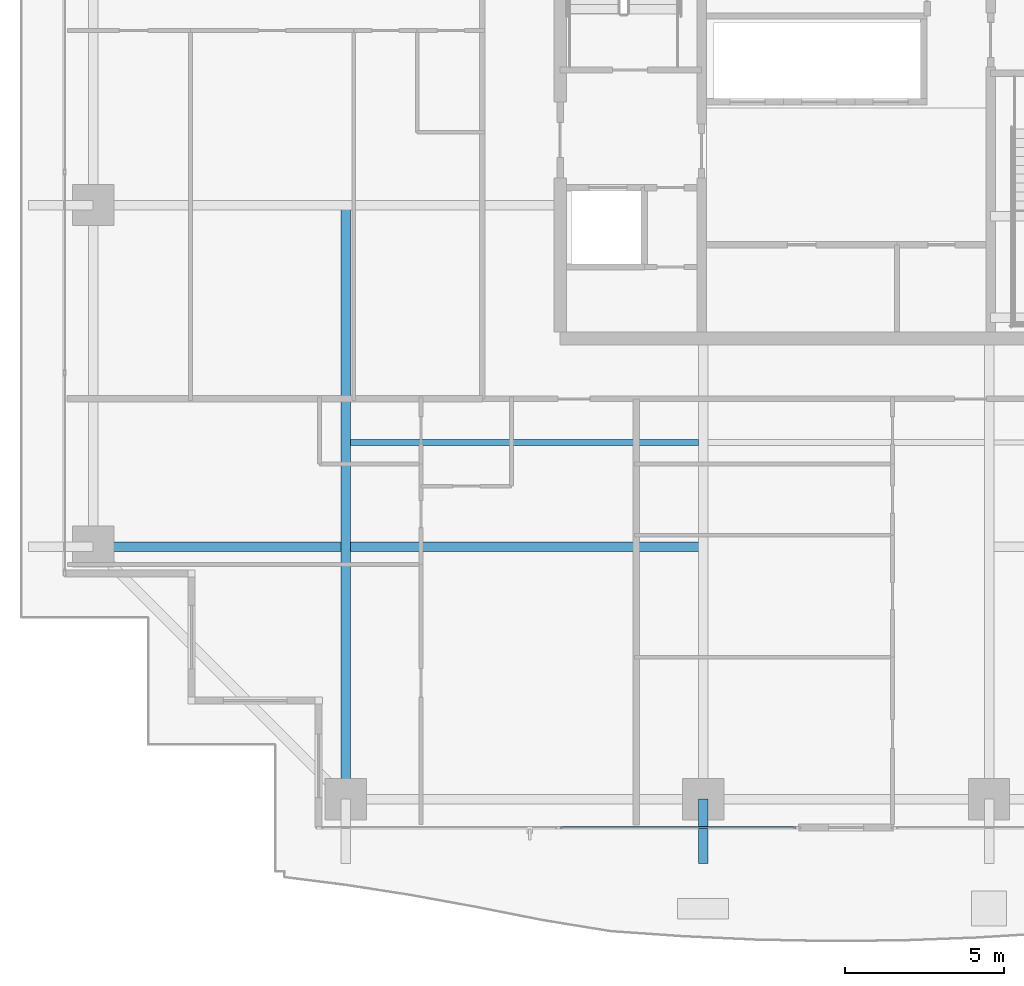
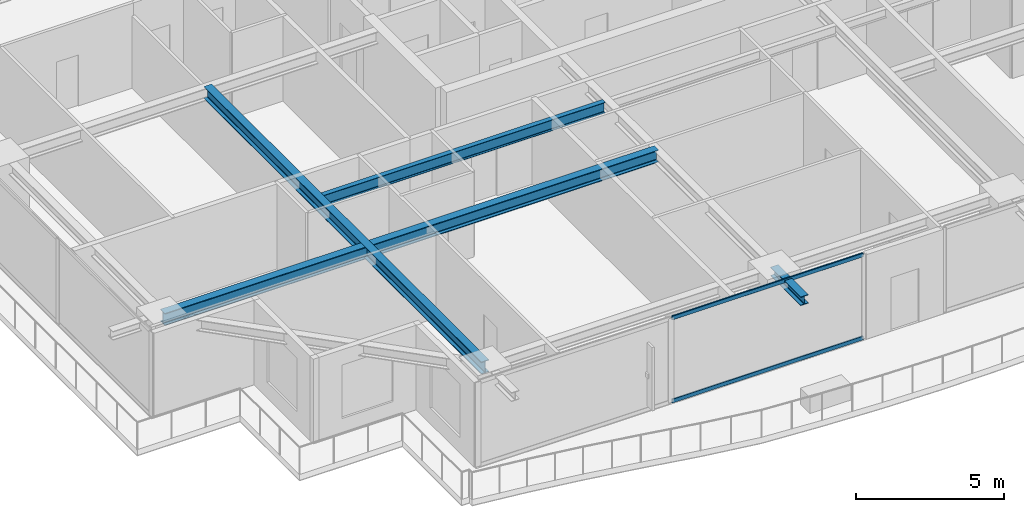
# One storey, part 4 of 35: 4 beams, 2 members, 1 element without a shape of its own.
"""IFC4 building model written with IfcOpenShell, lengths in metres."""

from ifc_helpers import new_model, si_unit, direction, frame, origin, origin_2d, place, context, subcontext, project, spatial, hollow_rectangle, i_section, extrude, source, transform, mapped, material, layer, layer_set, material_profile, profile_set, type_object, element, aggregate, save


model = new_model("IFC4")

# Units and contexts
model_context = context("Model", 3, precision=1e-05, world=origin(), true_north=direction((0.0, 1.0)))
body_context = subcontext(model_context, "Body", "Model", "MODEL_VIEW")
ifc_project = project(units=[si_unit("LENGTHUNIT", "METRE"), si_unit("AREAUNIT", "SQUARE_METRE"), si_unit("VOLUMEUNIT", "CUBIC_METRE"), si_unit("PLANEANGLEUNIT", "RADIAN"), si_unit("MASSUNIT", "GRAM", prefix="KILO")], contexts=[model_context])

# Site, building, storey
site_placement = place(None, origin())
site = spatial("IfcSite", under=ifc_project, at=site_placement, CompositionType="ELEMENT")
building_placement = place(site_placement, origin())
building = spatial("IfcBuilding", under=site, at=building_placement, Name="Serunith Strait Residences", CompositionType="ELEMENT")
storey_placement = place(building_placement, frame((0.0, 0.0, 191.39990234375)))
storey = spatial("IfcBuildingStorey", under=building, at=storey_placement, Name="L48", CompositionType="ELEMENT", Elevation=191.39990234375)

# Beams
ifc_material_1 = material(Name="Steel S355J2", Category="steel")
ifc_material_profile_1 = material_profile(ifc_material_1, i_section(OverallWidth=0.300048828125, OverallDepth=0.5, WebThickness=0.014404296875, FlangeThickness=0.028076171875, FilletRadius=0.027099609375, at=origin_2d()), Name="HEB 500")
ifc_profile_set_1 = profile_set([ifc_material_profile_1], Name="Steel S355J2")
beam_type_1 = type_object("IfcBeamType", Name="BM-HEB500", PredefinedType="BEAM", material=ifc_profile_set_1)
shared_shape_1 = source(origin(), body_context, "Body", "SweptSolid", [
    extrude(i_section(OverallWidth=0.300048828125, OverallDepth=0.5, WebThickness=0.014404296875, FlangeThickness=0.028076171875, FilletRadius=0.027099609375, at=origin_2d()), origin(), (0.0, 0.0, 1.0), 18.699951171875),
])
beam_1_placement = place(storey_placement, frame((16.64990234375, 21.0, 3.237060546875), z_axis=(0.0, -1.0, 0.0), x_axis=(1.0, 0.0, 0.0)))
element("IfcBeam", 1, at=beam_1_placement, inside=storey, type_object=beam_type_1, Name="L48 Orthogonal Corner Girder TC-S1", PredefinedType="BEAM", context=body_context, shape_type="MappedRepresentation", body=[
    mapped(shared_shape_1, transform((0.0, 0.0, 0.0), scale=1.0)),
])
shared_shape_2 = source(origin(), body_context, "Body", "SweptSolid", [
    extrude(i_section(OverallWidth=0.300048828125, OverallDepth=0.5, WebThickness=0.014404296875, FlangeThickness=0.028076171875, FilletRadius=0.027099609375, at=origin_2d()), origin(), (0.0, 0.0, 1.0), 19.199951171875),
])
beam_2_placement = place(storey_placement, frame((27.89990234375, 10.25, 3.237060546875), z_axis=(-1.0, 0.0, 0.0), x_axis=(0.0, -1.0, 0.0)))
element("IfcBeam", 2, at=beam_2_placement, inside=storey, type_object=beam_type_1, Name="L48 Orthogonal Corner Girder TC-W1", PredefinedType="BEAM", context=body_context, shape_type="MappedRepresentation", body=[
    mapped(shared_shape_2, transform((0.0, 0.0, 0.0), scale=1.0)),
])
ifc_material_profile_2 = material_profile(ifc_material_1, i_section(OverallWidth=0.18994140625, OverallDepth=0.449951171875, WebThickness=0.009521484375, FlangeThickness=0.0146484375, FilletRadius=0.02099609375, at=origin_2d()), Name="IPE 450")
ifc_profile_set_2 = profile_set([ifc_material_profile_2], Name="Steel S355J2")
beam_type_2 = type_object("IfcBeamType", Name="BM-IPE450", PredefinedType="JOIST", material=ifc_profile_set_2)
shared_shape_3 = source(origin(), body_context, "Body", "SweptSolid", [
    extrude(i_section(OverallWidth=0.18994140625, OverallDepth=0.449951171875, WebThickness=0.009521484375, FlangeThickness=0.0146484375, FilletRadius=0.02099609375, at=origin_2d()), origin(), (0.0, 0.0, 1.0), 10.949951171875),
])
beam_3_placement = place(storey_placement, frame((16.800048828125, 13.52490234375, 3.26220703125), z_axis=(1.0, 0.0, 0.0), x_axis=(0.0, 1.0, 0.0)))
element("IfcBeam", 3, at=beam_3_placement, inside=storey, type_object=beam_type_2, Name="L48 Composite Floor Joist 01", PredefinedType="JOIST", context=body_context, shape_type="MappedRepresentation", body=[
    mapped(shared_shape_3, transform((0.0, 0.0, 0.0), scale=1.0)),
])
ifc_material_profile_3 = material_profile(ifc_material_1, i_section(OverallWidth=0.300048828125, OverallDepth=0.360107421875, WebThickness=0.012451171875, FlangeThickness=0.0224609375, FilletRadius=0.027099609375, at=origin_2d()), Name="HEB 360")
ifc_profile_set_3 = profile_set([ifc_material_profile_3], Name="Steel S355J2")
beam_type_3 = type_object("IfcBeamType", Name="BM-HEB360", PredefinedType="BEAM", material=ifc_profile_set_3)
shared_shape_4 = source(origin(), body_context, "Body", "SweptSolid", [
    extrude(i_section(OverallWidth=0.300048828125, OverallDepth=0.360107421875, WebThickness=0.012451171875, FlangeThickness=0.0224609375, FilletRadius=0.027099609375, at=origin_2d()), origin(), (0.0, 0.0, 1.0), 2.030029296875),
])
beam_4_placement = place(storey_placement, frame((27.89990234375, 2.300048828125, 3.277099609375), z_axis=(0.0, -1.0, 0.0), x_axis=(1.0, 0.0, 0.0)))
element("IfcBeam", 4, at=beam_4_placement, inside=storey, type_object=beam_type_3, Name="L49 Cantilevered Balcony Rib TC-S2", PredefinedType="BEAM", context=body_context, shape_type="MappedRepresentation", body=[
    mapped(shared_shape_4, transform((0.0, 0.0, 0.0), scale=1.0)),
])

# Curtain wall, members
ifc_material_2 = material(Name="Pale-Silver PVDF Aluminium", Category="aluminium")
ifc_layer = layer(ifc_material_2, 0.199951171875, Name="Pale-Silver PVDF Aluminium")
ifc_layer_set = layer_set([ifc_layer], Name="Pale-Silver PVDF Aluminium")
curtain_wall_type = type_object("IfcCurtainWallType", Name="CW-SYS3", PredefinedType="NOTDEFINED", material=ifc_layer_set)
curtain_wall_placement = place(storey_placement, origin())
curtain_wall = element("IfcCurtainWall", 5, at=curtain_wall_placement, inside=storey, type_object=curtain_wall_type, Name="L48 S Unitised Fritted Curtain Wall", PredefinedType="NOTDEFINED")
ifc_material_profile_4 = material_profile(ifc_material_2, hollow_rectangle(XDim=0.06005859375, YDim=0.159912109375, WallThickness=0.00341796875, InnerFilletRadius=0.00537109375, OuterFilletRadius=0.0087890625, at=origin_2d()), Name="ALU 160x60x3.5")
ifc_profile_set_4 = profile_set([ifc_material_profile_4], Name="Pale-Silver PVDF Aluminium")
member_type = type_object("IfcMemberType", Name="CW-SYS3-TRAN", PredefinedType="USERDEFINED", material=ifc_profile_set_4)
shared_shape_5 = source(origin(), body_context, "Body", "SweptSolid", [
    extrude(hollow_rectangle(XDim=0.06005859375, YDim=0.159912109375, WallThickness=0.00341796875, InnerFilletRadius=0.00537109375, OuterFilletRadius=0.0087890625, at=origin_2d()), origin(), (0.0, 0.0, 1.0), 7.4375),
])
member_1_placement = place(storey_placement, frame((23.387451171875, 1.39990234375, 0.030029296875), z_axis=(1.0, 0.0, 0.0), x_axis=(0.0, 1.0, 0.0)))
member_1 = element("IfcMember", 6, at=member_1_placement, type_object=member_type, Name="CW-3 transom 2.1", ObjectType="TRANSOM", PredefinedType="USERDEFINED", context=body_context, shape_type="MappedRepresentation", body=[
    mapped(shared_shape_5, transform((0.0, 0.0, 0.0), scale=1.0)),
])
member_2_placement = place(storey_placement, frame((23.387451171875, 1.39990234375, 3.445068359375), z_axis=(1.0, 0.0, 0.0), x_axis=(0.0, 1.0, 0.0)))
member_2 = element("IfcMember", 7, at=member_2_placement, type_object=member_type, Name="CW-3 transom 2.2", ObjectType="TRANSOM", PredefinedType="USERDEFINED", context=body_context, shape_type="MappedRepresentation", body=[
    mapped(shared_shape_5, transform((0.0, 0.0, 0.0), scale=1.0)),
])
aggregate(curtain_wall, [member_1, member_2])

save(model, "model.ifc")
